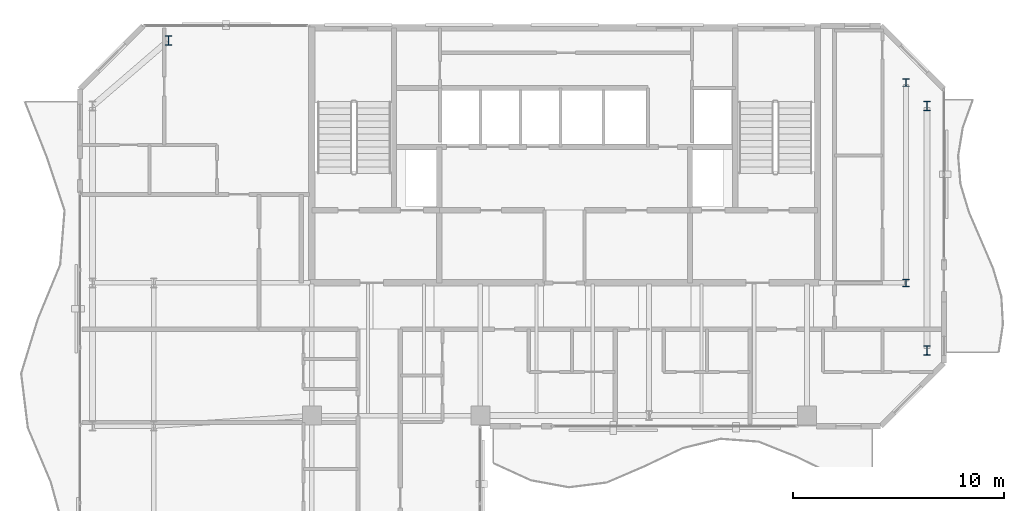
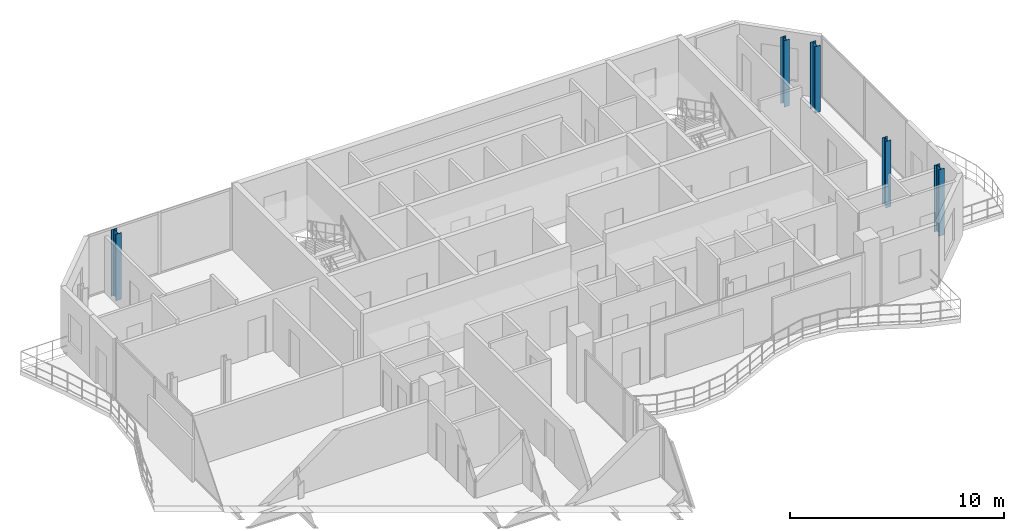
# One storey, part 2 of 24: 5 columns.
"""IFC4 building model written with IfcOpenShell, lengths in metres."""

from ifc_helpers import new_model, si_unit, direction, frame, origin, origin_2d, place, context, subcontext, project, spatial, i_section, extrude, material, material_profile, profile_set, type_object, element, save


model = new_model("IFC4")

# Units and contexts
model_context = context("Model", 3, precision=1e-05, world=origin(), true_north=direction((0.0, 1.0)))
body_context = subcontext(model_context, "Body", "Model", "MODEL_VIEW")
ifc_project = project(units=[si_unit("LENGTHUNIT", "METRE"), si_unit("AREAUNIT", "SQUARE_METRE"), si_unit("VOLUMEUNIT", "CUBIC_METRE"), si_unit("PLANEANGLEUNIT", "RADIAN"), si_unit("MASSUNIT", "GRAM", prefix="KILO")], contexts=[model_context])

# Site, building, storey
site_placement = place(None, origin())
site = spatial("IfcSite", under=ifc_project, at=site_placement, CompositionType="ELEMENT")
building_placement = place(site_placement, origin())
building = spatial("IfcBuilding", under=site, at=building_placement, Name="Catumbela Crestline Tower", CompositionType="ELEMENT")
storey_placement = place(building_placement, frame((0.0, 0.0, 237.4)))
storey = spatial("IfcBuildingStorey", under=building, at=storey_placement, Name="L61", CompositionType="ELEMENT", Elevation=237.4)

# Columns
ifc_material = material(Name="Structural steel S355J2", Category="steel")
ifc_material_profile_1 = material_profile(ifc_material, i_section(OverallWidth=0.3, OverallDepth=0.36, WebThickness=0.0125, FlangeThickness=0.0225, FilletRadius=0.027, at=origin_2d()), Name="HEB 360")
ifc_profile_set_1 = profile_set([ifc_material_profile_1], Name="Structural steel S355J2")
column_type_1 = type_object("IfcColumnType", Name="C-ST-HEB360", PredefinedType="COLUMN", material=ifc_profile_set_1)
for number, where, z_axis, x_axis, name in (
    (1, (44.2, 30.8, 0.0), (0.0, 0.0, 1.0), (1.0, 0.0, 0.0), "L61 Column CT-46-31 (HEB 360)"),
    (2, (44.2, 40.3, 0.0), (0.0, 0.0, 1.0), (1.0, 0.0, 0.0), "L61 Column CT-46-37 (HEB 360)"),
):
    element("IfcColumn", number, at=place(storey_placement, frame(where, z_axis=z_axis, x_axis=x_axis)), inside=storey, type_object=column_type_1, Name=name, PredefinedType="COLUMN", context=body_context, shape_type="SweptSolid", body=[
        extrude(i_section(OverallWidth=0.3, OverallDepth=0.36, WebThickness=0.0125, FlangeThickness=0.0225, FilletRadius=0.027, at=origin_2d()), origin(), (0.0, 0.0, 1.0), 3.8),
    ])
ifc_material_profile_2 = material_profile(ifc_material, i_section(OverallWidth=0.3, OverallDepth=0.45, WebThickness=0.014, FlangeThickness=0.026, FilletRadius=0.027, at=origin_2d()), Name="HEB 450")
ifc_profile_set_2 = profile_set([ifc_material_profile_2], Name="Structural steel S355J2")
column_type_2 = type_object("IfcColumnType", Name="C-ST-HEB450", PredefinedType="COLUMN", material=ifc_profile_set_2)
for number, where, z_axis, x_axis, name in (
    (3, (9.2, 42.3, 0.0), (0.0, 0.0, 1.0), (1.0, 0.0, 0.0), "L61 Column C-08-43 (HEB 450)"),
    (4, (45.2, 27.6, 0.0), (0.0, 0.0, 1.0), (1.0, 0.0, 0.0), "L61 Column C-46-24 (HEB 450)"),
    (5, (45.2, 39.2, 0.0), (0.0, 0.0, 1.0), (1.0, 0.0, 0.0), "L61 Column C-46-43 (HEB 450)"),
):
    element("IfcColumn", number, at=place(storey_placement, frame(where, z_axis=z_axis, x_axis=x_axis)), inside=storey, type_object=column_type_2, Name=name, PredefinedType="COLUMN", context=body_context, shape_type="SweptSolid", body=[
        extrude(i_section(OverallWidth=0.3, OverallDepth=0.45, WebThickness=0.014, FlangeThickness=0.026, FilletRadius=0.027, at=origin_2d()), origin(), (0.0, 0.0, 1.0), 3.8),
    ])

save(model, "model.ifc")
